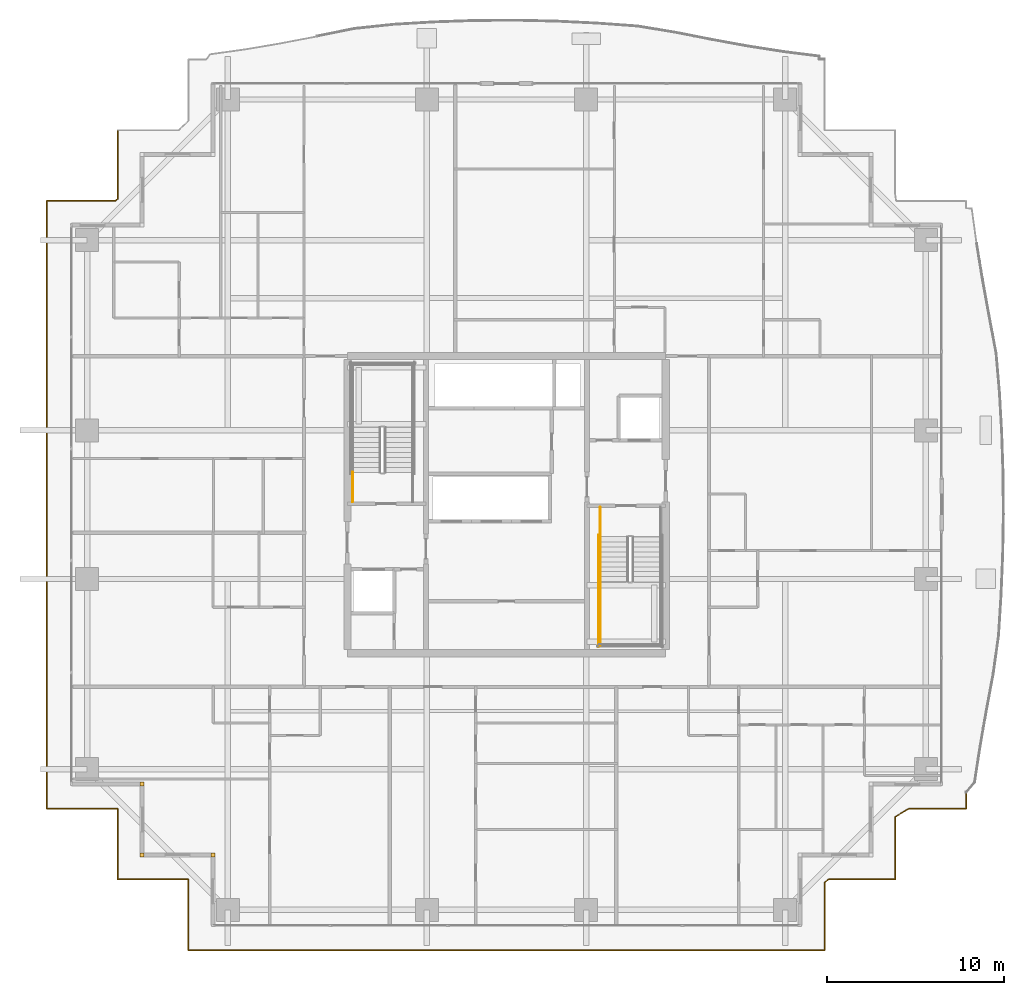
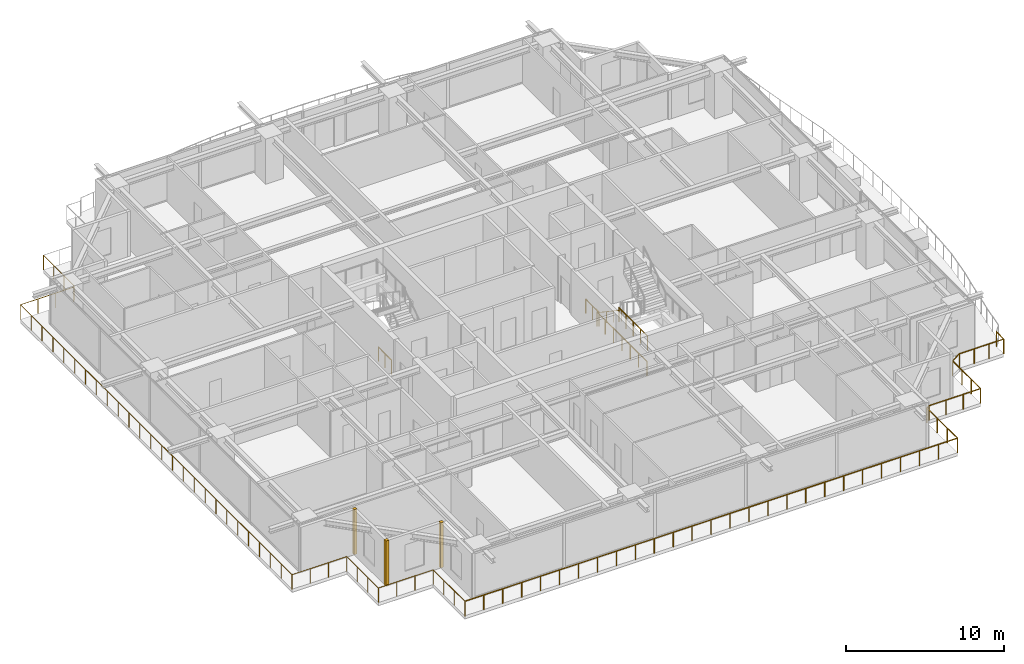
# One storey, part 29 of 33: 7 railings, 3 coverings.
"""IFC4 building model written with IfcOpenShell, lengths in metres."""

from ifc_helpers import new_model, si_unit, direction, frame, origin, origin_2d, place, context, subcontext, project, spatial, rectangle, circle, extrude, source, transform, mapped, material, layer, layer_set, type_object, element, save


model = new_model("IFC4")

# Units and contexts
model_context = context("Model", 3, precision=1e-05, world=origin(), true_north=direction((0.0, 1.0)))
body_context = subcontext(model_context, "Body", "Model", "MODEL_VIEW")
ifc_project = project(units=[si_unit("LENGTHUNIT", "METRE"), si_unit("AREAUNIT", "SQUARE_METRE"), si_unit("VOLUMEUNIT", "CUBIC_METRE"), si_unit("PLANEANGLEUNIT", "RADIAN"), si_unit("MASSUNIT", "GRAM", prefix="KILO")], contexts=[model_context])

# Site, building, storey
site_placement = place(None, origin())
site = spatial("IfcSite", under=ifc_project, at=site_placement, CompositionType="ELEMENT")
building_placement = place(site_placement, origin())
building = spatial("IfcBuilding", under=site, at=building_placement, Name="Serunith Strait Residences", CompositionType="ELEMENT")
storey_placement = place(building_placement, frame((0.0, 0.0, 165.14990234375)))
storey = spatial("IfcBuildingStorey", under=building, at=storey_placement, Name="L41", CompositionType="ELEMENT", Elevation=165.14990234375)

# Railings
ifc_material_1 = material(Name="Stainless Steel & Laminated Glass Balustrade", Category="steel")
railing_type_1 = type_object("IfcRailingType", Name="RLG-BALC-1150", PredefinedType="BALUSTRADE", material=ifc_material_1)
railing_1_placement = place(storey_placement, frame((58.3798828125, 8.943115234375, -0.0498046875)))
element("IfcRailing", 1, at=railing_1_placement, inside=storey, type_object=railing_type_1, Name="L41 Swirling Balcony Perimeter Balustrade 7", PredefinedType="BALUSTRADE", context=body_context, shape_type="SweptSolid", body=[
    extrude(circle(Radius=0.02392578125, at=origin_2d()), frame((0.0, -0.001953125, 1.1259765625), z_axis=(0.0, -1.0, 0.0), x_axis=(1.0, 0.0, 0.0)), (0.0, 0.0, 1.0), 0.919189453125),
    extrude(circle(Radius=0.02392578125, at=origin_2d()), frame((-0.001953125, -0.923095703125, 1.1259765625), z_axis=(-1.0, 0.0, 0.0), x_axis=(0.0, -1.0, 0.0)), (0.0, 0.0, 1.0), 3.2255859375),
    extrude(circle(Radius=0.02392578125, at=origin_2d()), frame((-3.231201171875, -0.924072265625, 1.1259765625), z_axis=(-0.858163984926, -0.513375666521, 0.0), x_axis=(0.513375666521, -0.858163984926, 0.0)), (0.0, 0.0, 1.0), 0.893798828125),
    extrude(circle(Radius=0.02392578125, at=origin_2d()), frame((-4.0, -1.385986328125, 1.1259765625), z_axis=(0.0, -1.0, 0.0), x_axis=(1.0, 0.0, 0.0)), (0.0, 0.0, 1.0), 3.53515625),
    extrude(circle(Radius=0.02392578125, at=origin_2d()), frame((-4.001953125, -4.923095703125, 1.1259765625), z_axis=(-1.0, 0.0, 0.0), x_axis=(0.0, -1.0, 0.0)), (0.0, 0.0, 1.0), 3.77197265625),
    extrude(circle(Radius=0.02392578125, at=origin_2d()), frame((-7.77734375, -4.92431640625, 1.1259765625), z_axis=(-0.778961137838, -0.627072201375, 0.0), x_axis=(0.627072201375, -0.778961137838, 0.0)), (0.0, 0.0, 1.0), 0.28369140625),
    extrude(circle(Radius=0.02392578125, at=origin_2d()), frame((-8.0, -5.10546875, 1.1259765625), z_axis=(0.0, -1.0, 0.0), x_axis=(1.0, 0.0, 0.0)), (0.0, 0.0, 1.0), 3.815673828125),
    extrude(circle(Radius=0.02392578125, at=origin_2d()), frame((-8.001953125, -8.923095703125, 1.1259765625), z_axis=(-1.0, 0.0, 0.0), x_axis=(0.0, -1.0, 0.0)), (0.0, 0.0, 1.0), 35.9560546875),
    extrude(circle(Radius=0.02099609375, at=origin_2d()), origin(), (0.0, 0.0, 1.0), 1.099853515625),
    extrude(circle(Radius=0.02099609375, at=origin_2d()), frame((0.0, -0.923095703125, 0.0)), (0.0, 0.0, 1.0), 1.099853515625),
    extrude(circle(Radius=0.02099609375, at=origin_2d()), frame((-1.076416015625, -0.923095703125, 0.0)), (0.0, 0.0, 1.0), 1.099853515625),
    extrude(circle(Radius=0.02099609375, at=origin_2d()), frame((-2.153076171875, -0.923095703125, 0.0)), (0.0, 0.0, 1.0), 1.099853515625),
    extrude(circle(Radius=0.02099609375, at=origin_2d()), frame((-3.2294921875, -0.923095703125, 0.0)), (0.0, 0.0, 1.0), 1.099853515625),
    extrude(circle(Radius=0.02099609375, at=origin_2d()), frame((-4.0, -1.384033203125, 0.0)), (0.0, 0.0, 1.0), 1.099853515625),
    extrude(circle(Radius=0.02099609375, at=origin_2d()), frame((-4.0, -2.563720703125, 0.0)), (0.0, 0.0, 1.0), 1.099853515625),
    extrude(circle(Radius=0.02099609375, at=origin_2d()), frame((-4.0, -3.743408203125, 0.0)), (0.0, 0.0, 1.0), 1.099853515625),
    extrude(circle(Radius=0.02099609375, at=origin_2d()), frame((-4.0, -4.923095703125, 0.0)), (0.0, 0.0, 1.0), 1.099853515625),
    extrude(circle(Radius=0.02099609375, at=origin_2d()), frame((-5.258544921875, -4.923095703125, 0.0)), (0.0, 0.0, 1.0), 1.099853515625),
    extrude(circle(Radius=0.02099609375, at=origin_2d()), frame((-6.517333984375, -4.923095703125, 0.0)), (0.0, 0.0, 1.0), 1.099853515625),
    extrude(circle(Radius=0.02099609375, at=origin_2d()), frame((-7.77587890625, -4.923095703125, 0.0)), (0.0, 0.0, 1.0), 1.099853515625),
    extrude(circle(Radius=0.02099609375, at=origin_2d()), frame((-8.0, -5.103515625, 0.0)), (0.0, 0.0, 1.0), 1.099853515625),
    extrude(circle(Radius=0.02099609375, at=origin_2d()), frame((-8.0, -6.376708984375, 0.0)), (0.0, 0.0, 1.0), 1.099853515625),
    extrude(circle(Radius=0.02099609375, at=origin_2d()), frame((-8.0, -7.64990234375, 0.0)), (0.0, 0.0, 1.0), 1.099853515625),
    extrude(circle(Radius=0.02099609375, at=origin_2d()), frame((-8.0, -8.923095703125, 0.0)), (0.0, 0.0, 1.0), 1.099853515625),
    extrude(circle(Radius=0.02099609375, at=origin_2d()), frame((-9.383056640625, -8.923095703125, 0.0)), (0.0, 0.0, 1.0), 1.099853515625),
    extrude(circle(Radius=0.02099609375, at=origin_2d()), frame((-10.76611328125, -8.923095703125, 0.0)), (0.0, 0.0, 1.0), 1.099853515625),
    extrude(circle(Radius=0.02099609375, at=origin_2d()), frame((-12.149169921875, -8.923095703125, 0.0)), (0.0, 0.0, 1.0), 1.099853515625),
    extrude(circle(Radius=0.02099609375, at=origin_2d()), frame((-13.5322265625, -8.923095703125, 0.0)), (0.0, 0.0, 1.0), 1.099853515625),
    extrude(circle(Radius=0.02099609375, at=origin_2d()), frame((-14.915283203125, -8.923095703125, 0.0)), (0.0, 0.0, 1.0), 1.099853515625),
    extrude(circle(Radius=0.02099609375, at=origin_2d()), frame((-16.29833984375, -8.923095703125, 0.0)), (0.0, 0.0, 1.0), 1.099853515625),
    extrude(circle(Radius=0.02099609375, at=origin_2d()), frame((-17.681640625, -8.923095703125, 0.0)), (0.0, 0.0, 1.0), 1.099853515625),
    extrude(circle(Radius=0.02099609375, at=origin_2d()), frame((-19.064697265625, -8.923095703125, 0.0)), (0.0, 0.0, 1.0), 1.099853515625),
    extrude(circle(Radius=0.02099609375, at=origin_2d()), frame((-20.44775390625, -8.923095703125, 0.0)), (0.0, 0.0, 1.0), 1.099853515625),
    extrude(circle(Radius=0.02099609375, at=origin_2d()), frame((-21.830810546875, -8.923095703125, 0.0)), (0.0, 0.0, 1.0), 1.099853515625),
    extrude(circle(Radius=0.02099609375, at=origin_2d()), frame((-23.2138671875, -8.923095703125, 0.0)), (0.0, 0.0, 1.0), 1.099853515625),
    extrude(circle(Radius=0.02099609375, at=origin_2d()), frame((-24.596923828125, -8.923095703125, 0.0)), (0.0, 0.0, 1.0), 1.099853515625),
    extrude(circle(Radius=0.02099609375, at=origin_2d()), frame((-25.97998046875, -8.923095703125, 0.0)), (0.0, 0.0, 1.0), 1.099853515625),
    extrude(circle(Radius=0.02099609375, at=origin_2d()), frame((-27.363037109375, -8.923095703125, 0.0)), (0.0, 0.0, 1.0), 1.099853515625),
    extrude(circle(Radius=0.02099609375, at=origin_2d()), frame((-28.74609375, -8.923095703125, 0.0)), (0.0, 0.0, 1.0), 1.099853515625),
    extrude(circle(Radius=0.02099609375, at=origin_2d()), frame((-30.129150390625, -8.923095703125, 0.0)), (0.0, 0.0, 1.0), 1.099853515625),
    extrude(circle(Radius=0.02099609375, at=origin_2d()), frame((-31.51220703125, -8.923095703125, 0.0)), (0.0, 0.0, 1.0), 1.099853515625),
    extrude(circle(Radius=0.02099609375, at=origin_2d()), frame((-32.895263671875, -8.923095703125, 0.0)), (0.0, 0.0, 1.0), 1.099853515625),
    extrude(circle(Radius=0.02099609375, at=origin_2d()), frame((-34.2783203125, -8.923095703125, 0.0)), (0.0, 0.0, 1.0), 1.099853515625),
    extrude(circle(Radius=0.02099609375, at=origin_2d()), frame((-35.66162109375, -8.923095703125, 0.0)), (0.0, 0.0, 1.0), 1.099853515625),
    extrude(circle(Radius=0.02099609375, at=origin_2d()), frame((-37.044677734375, -8.923095703125, 0.0)), (0.0, 0.0, 1.0), 1.099853515625),
    extrude(circle(Radius=0.02099609375, at=origin_2d()), frame((-38.427734375, -8.923095703125, 0.0)), (0.0, 0.0, 1.0), 1.099853515625),
    extrude(circle(Radius=0.02099609375, at=origin_2d()), frame((-39.810791015625, -8.923095703125, 0.0)), (0.0, 0.0, 1.0), 1.099853515625),
    extrude(circle(Radius=0.02099609375, at=origin_2d()), frame((-41.19384765625, -8.923095703125, 0.0)), (0.0, 0.0, 1.0), 1.099853515625),
    extrude(circle(Radius=0.02099609375, at=origin_2d()), frame((-42.576904296875, -8.923095703125, 0.0)), (0.0, 0.0, 1.0), 1.099853515625),
    extrude(circle(Radius=0.02099609375, at=origin_2d()), frame((-43.9599609375, -8.923095703125, 0.0)), (0.0, 0.0, 1.0), 1.099853515625),
])
railing_2_placement = place(storey_placement, frame((14.419921875, 0.02001953125, -0.0498046875)))
element("IfcRailing", 2, at=railing_2_placement, inside=storey, type_object=railing_type_1, Name="L41 Swirling Balcony Perimeter Balustrade 8", PredefinedType="BALUSTRADE", context=body_context, shape_type="SweptSolid", body=[
    extrude(circle(Radius=0.02392578125, at=origin_2d()), frame((0.0, 0.001953125, 1.1259765625), z_axis=(0.0, 1.0, 0.0), x_axis=(-1.0, 0.0, 0.0)), (0.0, 0.0, 1.0), 3.99609375),
    extrude(circle(Radius=0.02392578125, at=origin_2d()), frame((-0.001953125, 4.0, 1.1259765625), z_axis=(-1.0, 0.0, 0.0), x_axis=(0.0, -1.0, 0.0)), (0.0, 0.0, 1.0), 3.99609375),
    extrude(circle(Radius=0.02392578125, at=origin_2d()), frame((-4.0, 4.001953125, 1.1259765625), z_axis=(0.0, 1.0, 0.0), x_axis=(-1.0, 0.0, 0.0)), (0.0, 0.0, 1.0), 3.99609375),
    extrude(circle(Radius=0.02392578125, at=origin_2d()), frame((-4.001953125, 8.0, 1.1259765625), z_axis=(-1.0, 0.0, 0.0), x_axis=(0.0, -1.0, 0.0)), (0.0, 0.0, 1.0), 3.99609375),
    extrude(circle(Radius=0.02392578125, at=origin_2d()), frame((-8.0, 8.001953125, 1.1259765625), z_axis=(0.0, 1.0, 0.0), x_axis=(-1.0, 0.0, 0.0)), (0.0, 0.0, 1.0), 34.35595703125),
    extrude(circle(Radius=0.02392578125, at=origin_2d()), frame((-7.998046875, 42.35986328125, 1.1259765625), z_axis=(1.0, 0.0, 0.0), x_axis=(0.0, 1.0, 0.0)), (0.0, 0.0, 1.0), 3.861083984375),
    extrude(circle(Radius=0.02392578125, at=origin_2d()), frame((-4.13330078125, 42.361083984375, 1.1259765625), z_axis=(0.808862567734, 0.587997743633, 0.0), x_axis=(-0.587997743633, 0.808862567734, 0.0)), (0.0, 0.0, 1.0), 0.162841796875),
    extrude(circle(Radius=0.02392578125, at=origin_2d()), frame((-4.0, 42.4599609375, 1.1259765625), z_axis=(0.0, 1.0, 0.0), x_axis=(-1.0, 0.0, 0.0)), (0.0, 0.0, 1.0), 3.89794921875),
    extrude(circle(Radius=0.02099609375, at=origin_2d()), origin(), (0.0, 0.0, 1.0), 1.099853515625),
    extrude(circle(Radius=0.02099609375, at=origin_2d()), frame((0.0, 1.333251953125, 0.0)), (0.0, 0.0, 1.0), 1.099853515625),
    extrude(circle(Radius=0.02099609375, at=origin_2d()), frame((0.0, 2.666748046875, 0.0)), (0.0, 0.0, 1.0), 1.099853515625),
    extrude(circle(Radius=0.02099609375, at=origin_2d()), frame((0.0, 4.0, 0.0)), (0.0, 0.0, 1.0), 1.099853515625),
    extrude(circle(Radius=0.02099609375, at=origin_2d()), frame((-1.333251953125, 4.0, 0.0)), (0.0, 0.0, 1.0), 1.099853515625),
    extrude(circle(Radius=0.02099609375, at=origin_2d()), frame((-2.666748046875, 4.0, 0.0)), (0.0, 0.0, 1.0), 1.099853515625),
    extrude(circle(Radius=0.02099609375, at=origin_2d()), frame((-4.0, 4.0, 0.0)), (0.0, 0.0, 1.0), 1.099853515625),
    extrude(circle(Radius=0.02099609375, at=origin_2d()), frame((-4.0, 5.333251953125, 0.0)), (0.0, 0.0, 1.0), 1.099853515625),
    extrude(circle(Radius=0.02099609375, at=origin_2d()), frame((-4.0, 6.666748046875, 0.0)), (0.0, 0.0, 1.0), 1.099853515625),
    extrude(circle(Radius=0.02099609375, at=origin_2d()), frame((-4.0, 8.0, 0.0)), (0.0, 0.0, 1.0), 1.099853515625),
    extrude(circle(Radius=0.02099609375, at=origin_2d()), frame((-5.333251953125, 8.0, 0.0)), (0.0, 0.0, 1.0), 1.099853515625),
    extrude(circle(Radius=0.02099609375, at=origin_2d()), frame((-6.666748046875, 8.0, 0.0)), (0.0, 0.0, 1.0), 1.099853515625),
    extrude(circle(Radius=0.02099609375, at=origin_2d()), frame((-8.0, 8.0, 0.0)), (0.0, 0.0, 1.0), 1.099853515625),
    extrude(circle(Radius=0.02099609375, at=origin_2d()), frame((-8.0, 9.37451171875, 0.0)), (0.0, 0.0, 1.0), 1.099853515625),
    extrude(circle(Radius=0.02099609375, at=origin_2d()), frame((-8.0, 10.748779296875, 0.0)), (0.0, 0.0, 1.0), 1.099853515625),
    extrude(circle(Radius=0.02099609375, at=origin_2d()), frame((-8.0, 12.123291015625, 0.0)), (0.0, 0.0, 1.0), 1.099853515625),
    extrude(circle(Radius=0.02099609375, at=origin_2d()), frame((-8.0, 13.49755859375, 0.0)), (0.0, 0.0, 1.0), 1.099853515625),
    extrude(circle(Radius=0.02099609375, at=origin_2d()), frame((-8.0, 14.8720703125, 0.0)), (0.0, 0.0, 1.0), 1.099853515625),
    extrude(circle(Radius=0.02099609375, at=origin_2d()), frame((-8.0, 16.246337890625, 0.0)), (0.0, 0.0, 1.0), 1.099853515625),
    extrude(circle(Radius=0.02099609375, at=origin_2d()), frame((-8.0, 17.620849609375, 0.0)), (0.0, 0.0, 1.0), 1.099853515625),
    extrude(circle(Radius=0.02099609375, at=origin_2d()), frame((-8.0, 18.9951171875, 0.0)), (0.0, 0.0, 1.0), 1.099853515625),
    extrude(circle(Radius=0.02099609375, at=origin_2d()), frame((-8.0, 20.36962890625, 0.0)), (0.0, 0.0, 1.0), 1.099853515625),
    extrude(circle(Radius=0.02099609375, at=origin_2d()), frame((-8.0, 21.743896484375, 0.0)), (0.0, 0.0, 1.0), 1.099853515625),
    extrude(circle(Radius=0.02099609375, at=origin_2d()), frame((-8.0, 23.118408203125, 0.0)), (0.0, 0.0, 1.0), 1.099853515625),
    extrude(circle(Radius=0.02099609375, at=origin_2d()), frame((-8.0, 24.49267578125, 0.0)), (0.0, 0.0, 1.0), 1.099853515625),
    extrude(circle(Radius=0.02099609375, at=origin_2d()), frame((-8.0, 25.8671875, 0.0)), (0.0, 0.0, 1.0), 1.099853515625),
    extrude(circle(Radius=0.02099609375, at=origin_2d()), frame((-8.0, 27.241455078125, 0.0)), (0.0, 0.0, 1.0), 1.099853515625),
    extrude(circle(Radius=0.02099609375, at=origin_2d()), frame((-8.0, 28.615966796875, 0.0)), (0.0, 0.0, 1.0), 1.099853515625),
    extrude(circle(Radius=0.02099609375, at=origin_2d()), frame((-8.0, 29.990234375, 0.0)), (0.0, 0.0, 1.0), 1.099853515625),
    extrude(circle(Radius=0.02099609375, at=origin_2d()), frame((-8.0, 31.36474609375, 0.0)), (0.0, 0.0, 1.0), 1.099853515625),
    extrude(circle(Radius=0.02099609375, at=origin_2d()), frame((-8.0, 32.739013671875, 0.0)), (0.0, 0.0, 1.0), 1.099853515625),
    extrude(circle(Radius=0.02099609375, at=origin_2d()), frame((-8.0, 34.113525390625, 0.0)), (0.0, 0.0, 1.0), 1.099853515625),
    extrude(circle(Radius=0.02099609375, at=origin_2d()), frame((-8.0, 35.48779296875, 0.0)), (0.0, 0.0, 1.0), 1.099853515625),
    extrude(circle(Radius=0.02099609375, at=origin_2d()), frame((-8.0, 36.8623046875, 0.0)), (0.0, 0.0, 1.0), 1.099853515625),
    extrude(circle(Radius=0.02099609375, at=origin_2d()), frame((-8.0, 38.236572265625, 0.0)), (0.0, 0.0, 1.0), 1.099853515625),
    extrude(circle(Radius=0.02099609375, at=origin_2d()), frame((-8.0, 39.611083984375, 0.0)), (0.0, 0.0, 1.0), 1.099853515625),
    extrude(circle(Radius=0.02099609375, at=origin_2d()), frame((-8.0, 40.9853515625, 0.0)), (0.0, 0.0, 1.0), 1.099853515625),
    extrude(circle(Radius=0.02099609375, at=origin_2d()), frame((-8.0, 42.35986328125, 0.0)), (0.0, 0.0, 1.0), 1.099853515625),
    extrude(circle(Radius=0.02099609375, at=origin_2d()), frame((-6.711669921875, 42.35986328125, 0.0)), (0.0, 0.0, 1.0), 1.099853515625),
    extrude(circle(Radius=0.02099609375, at=origin_2d()), frame((-5.42333984375, 42.35986328125, 0.0)), (0.0, 0.0, 1.0), 1.099853515625),
    extrude(circle(Radius=0.02099609375, at=origin_2d()), frame((-4.135009765625, 42.35986328125, 0.0)), (0.0, 0.0, 1.0), 1.099853515625),
    extrude(circle(Radius=0.02099609375, at=origin_2d()), frame((-4.0, 42.4580078125, 0.0)), (0.0, 0.0, 1.0), 1.099853515625),
    extrude(circle(Radius=0.02099609375, at=origin_2d()), frame((-4.0, 43.758544921875, 0.0)), (0.0, 0.0, 1.0), 1.099853515625),
    extrude(circle(Radius=0.02099609375, at=origin_2d()), frame((-4.0, 45.059326171875, 0.0)), (0.0, 0.0, 1.0), 1.099853515625),
    extrude(circle(Radius=0.02099609375, at=origin_2d()), frame((-4.0, 46.35986328125, 0.0)), (0.0, 0.0, 1.0), 1.099853515625),
])
ifc_material_2 = material(Name="Brushed stainless steel 316L", Category="steel")
railing_type_2 = type_object("IfcRailingType", Name="RLG-STAIR-GUARD", PredefinedType="BALUSTRADE", material=ifc_material_2)
railing_3_placement = place(storey_placement, frame((23.699951171875, 25.35009765625, 0.0)))
element("IfcRailing", 3, at=railing_3_placement, inside=storey, type_object=railing_type_2, Name="L41 ST-1 stair guard 9", PredefinedType="BALUSTRADE", context=body_context, shape_type="SweptSolid", body=[
    extrude(circle(Radius=0.02392578125, at=origin_2d()), frame((0.0, 0.001953125, 1.076171875), z_axis=(0.0, 1.0, 0.0), x_axis=(-1.0, 0.0, 0.0)), (0.0, 0.0, 1.0), 1.676025390625),
    extrude(circle(Radius=0.02099609375, at=origin_2d()), origin(), (0.0, 0.0, 1.0), 1.050048828125),
    extrude(circle(Radius=0.02099609375, at=origin_2d()), frame((0.0, 0.83984375, 0.0)), (0.0, 0.0, 1.0), 1.050048828125),
    extrude(circle(Radius=0.02099609375, at=origin_2d()), frame((0.0, 1.679931640625, 0.0)), (0.0, 0.0, 1.0), 1.050048828125),
])
railing_4_placement = place(storey_placement, frame((37.699951171875, 20.85009765625, 1.875)))
element("IfcRailing", 4, at=railing_4_placement, inside=storey, type_object=railing_type_2, Name="L41 ST-2 stair guard 3", PredefinedType="BALUSTRADE", context=body_context, shape_type="SweptSolid", body=[
    extrude(circle(Radius=0.02392578125, at=origin_2d()), frame((0.0, -0.001953125, 1.076171875), z_axis=(0.0, -1.0, 0.0), x_axis=(1.0, 0.0, 0.0)), (0.0, 0.0, 1.0), 3.59619140625),
    extrude(circle(Radius=0.02099609375, at=origin_2d()), origin(), (0.0, 0.0, 1.0), 1.050048828125),
    extrude(circle(Radius=0.02099609375, at=origin_2d()), frame((0.0, -0.89990234375, 0.0)), (0.0, 0.0, 1.0), 1.050048828125),
    extrude(circle(Radius=0.02099609375, at=origin_2d()), frame((0.0, -1.800048828125, 0.0)), (0.0, 0.0, 1.0), 1.050048828125),
    extrude(circle(Radius=0.02099609375, at=origin_2d()), frame((0.0, -2.7001953125, 0.0)), (0.0, 0.0, 1.0), 1.050048828125),
    extrude(circle(Radius=0.02099609375, at=origin_2d()), frame((0.0, -3.60009765625, 0.0)), (0.0, 0.0, 1.0), 1.050048828125),
])
railing_5_placement = place(storey_placement, frame((37.699951171875, 25.050048828125, 0.0)))
element("IfcRailing", 5, at=railing_5_placement, inside=storey, type_object=railing_type_2, Name="L41 ST-2 stair guard 8", PredefinedType="BALUSTRADE", context=body_context, shape_type="SweptSolid", body=[
    extrude(circle(Radius=0.02392578125, at=origin_2d()), frame((0.0, -0.001953125, 1.076171875), z_axis=(0.0, -1.0, 0.0), x_axis=(1.0, 0.0, 0.0)), (0.0, 0.0, 1.0), 1.676025390625),
    extrude(circle(Radius=0.02099609375, at=origin_2d()), origin(), (0.0, 0.0, 1.0), 1.050048828125),
    extrude(circle(Radius=0.02099609375, at=origin_2d()), frame((0.0, -0.83984375, 0.0)), (0.0, 0.0, 1.0), 1.050048828125),
    extrude(circle(Radius=0.02099609375, at=origin_2d()), frame((0.0, -1.679931640625, 0.0)), (0.0, 0.0, 1.0), 1.050048828125),
])
railing_6_placement = place(storey_placement, frame((37.60009765625, 23.469970703125, 0.0)))
element("IfcRailing", 6, at=railing_6_placement, inside=storey, type_object=railing_type_2, Name="L41 ST-2 stair guard 10", PredefinedType="BALUSTRADE", context=body_context, shape_type="SweptSolid", body=[
    extrude(circle(Radius=0.02392578125, at=origin_2d()), frame((0.0, -0.001953125, 1.076171875), z_axis=(0.0, -1.0, 0.0), x_axis=(1.0, 0.0, 0.0)), (0.0, 0.0, 1.0), 6.316162109375),
    extrude(circle(Radius=0.02099609375, at=origin_2d()), origin(), (0.0, 0.0, 1.0), 1.050048828125),
    extrude(circle(Radius=0.02099609375, at=origin_2d()), frame((0.0, -1.05322265625, 0.0)), (0.0, 0.0, 1.0), 1.050048828125),
    extrude(circle(Radius=0.02099609375, at=origin_2d()), frame((0.0, -2.106689453125, 0.0)), (0.0, 0.0, 1.0), 1.050048828125),
    extrude(circle(Radius=0.02099609375, at=origin_2d()), frame((0.0, -3.16015625, 0.0)), (0.0, 0.0, 1.0), 1.050048828125),
    extrude(circle(Radius=0.02099609375, at=origin_2d()), frame((0.0, -4.21337890625, 0.0)), (0.0, 0.0, 1.0), 1.050048828125),
    extrude(circle(Radius=0.02099609375, at=origin_2d()), frame((0.0, -5.2666015625, 0.0)), (0.0, 0.0, 1.0), 1.050048828125),
    extrude(circle(Radius=0.02099609375, at=origin_2d()), frame((0.0, -6.320068359375, 0.0)), (0.0, 0.0, 1.0), 1.050048828125),
])
railing_type_3 = type_object("IfcRailingType", Name="RLG-STAIR-HR", PredefinedType="HANDRAIL", material=ifc_material_2)
railing_7_placement = place(storey_placement, frame((37.699951171875, 23.3701171875, 0.1875)))
element("IfcRailing", 7, at=railing_7_placement, inside=storey, type_object=railing_type_3, Name="L41 ST-2 stair handrail 1", PredefinedType="HANDRAIL", context=body_context, shape_type="SweptSolid", body=[
    extrude(circle(Radius=0.02392578125, at=origin_2d()), frame((0.0, -0.001708984375, 0.876953125), z_axis=(0.0, -0.830208209119, 0.557453432594), x_axis=(1.0, 0.0, 0.0)), (0.0, 0.0, 1.0), 3.36865234375),
    extrude(circle(Radius=0.02099609375, at=origin_2d()), origin(), (0.0, 0.0, 1.0), 0.849853515625),
    extrude(circle(Radius=0.02099609375, at=origin_2d()), frame((0.0, -0.933349609375, 0.626708984375)), (0.0, 0.0, 1.0), 0.849853515625),
    extrude(circle(Radius=0.02099609375, at=origin_2d()), frame((0.0, -1.86669921875, 1.25341796875)), (0.0, 0.0, 1.0), 0.849853515625),
    extrude(circle(Radius=0.02099609375, at=origin_2d()), frame((0.0, -2.800048828125, 1.880126953125)), (0.0, 0.0, 1.0), 0.849853515625),
])

# Coverings
ifc_material_3 = material(Name="Pale-Champagne Anodised Aluminium", Category="aluminium")
ifc_layer = layer(ifc_material_3, 0.219970703125, Name="Pale-Champagne Anodised Aluminium")
ifc_layer_set = layer_set([ifc_layer], Name="Pale-Champagne Anodised Aluminium")
covering_type = type_object("IfcCoveringType", Name="COV-CORN-TRIM", PredefinedType="CLADDING", material=ifc_layer_set)
shared_shape = source(origin(), body_context, "Body", "SweptSolid", [
    extrude(rectangle(XDim=0.221923828125, YDim=0.221923828125, at=origin_2d()), origin(), (0.0, 0.0, 1.0), 3.47509765625),
])
for number, where, z_axis, x_axis, name in (
    (8, (11.800048828125, 9.39990234375, 0.0), (0.0, 0.0, 1.0), (1.0, 0.0, 0.0), "L41 Girih Serrated Corner Trim Post 17"),
    (9, (11.800048828125, 5.39990234375, 0.0), (0.0, 0.0, 1.0), (1.0, 0.0, 0.0), "L41 Girih Serrated Corner Trim Post 18"),
    (10, (15.800048828125, 5.39990234375, 0.0), (0.0, 0.0, 1.0), (1.0, 0.0, 0.0), "L41 Girih Serrated Corner Trim Post 19"),
):
    element("IfcCovering", number, at=place(storey_placement, frame(where, z_axis=z_axis, x_axis=x_axis)), inside=storey, type_object=covering_type, Name=name, PredefinedType="CLADDING", context=body_context, shape_type="MappedRepresentation", body=[
        mapped(shared_shape, transform((0.0, 0.0, 0.0), scale=1.0)),
    ])

save(model, "model.ifc")
